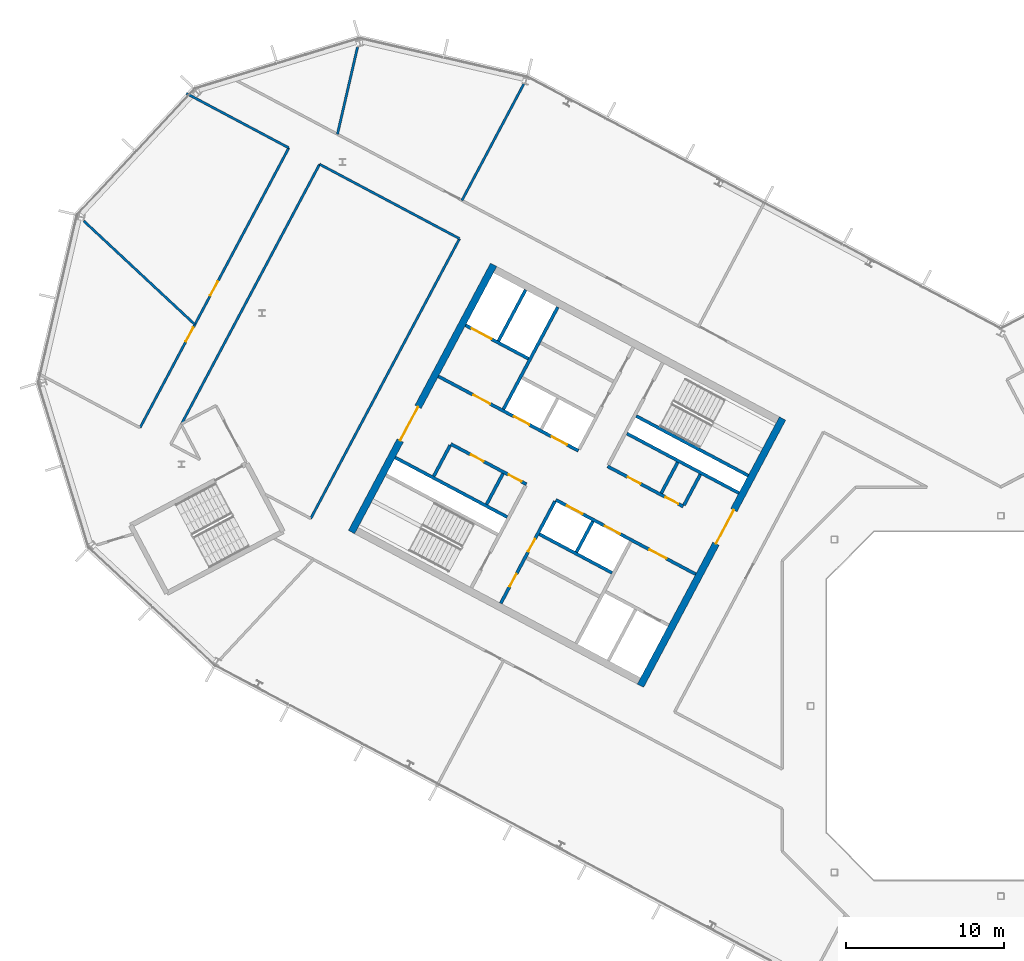
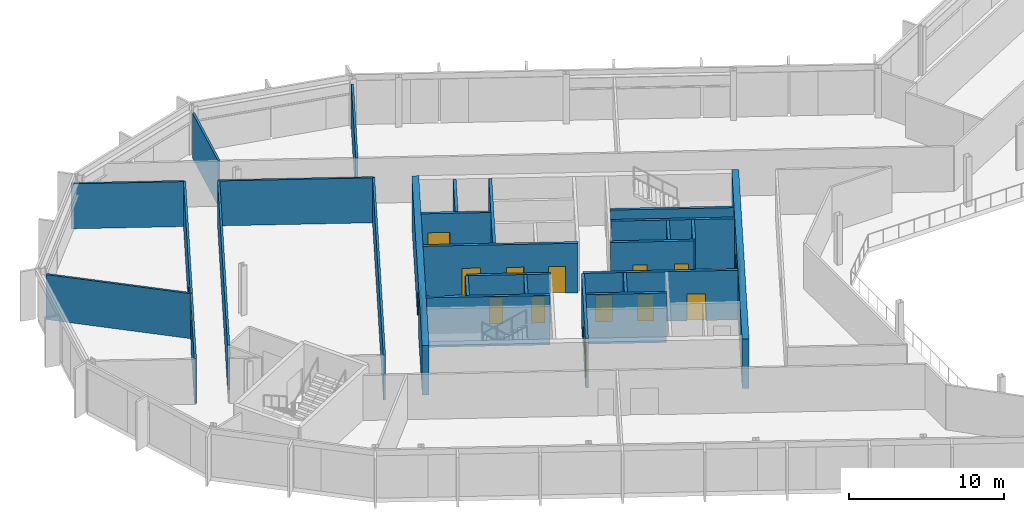
# One storey, part 13 of 25: 27 walls, 17 doors, 17 openings.
"""IFC4 building model written with IfcOpenShell, lengths in metres."""

from ifc_helpers import new_model, si_unit, direction, frame, frame_2d, origin, place, context, subcontext, project, spatial, rectangle, extrude, material, layer, layer_set, type_object, element, fill, save


model = new_model("IFC4")

# Units and contexts
model_context = context("Model", 3, precision=1e-05, world=origin(), true_north=direction((0.0, 1.0)))
body_context = subcontext(model_context, "Body", "Model", "MODEL_VIEW")
ifc_project = project(units=[si_unit("LENGTHUNIT", "METRE"), si_unit("AREAUNIT", "SQUARE_METRE"), si_unit("VOLUMEUNIT", "CUBIC_METRE"), si_unit("PLANEANGLEUNIT", "RADIAN"), si_unit("MASSUNIT", "GRAM", prefix="KILO")], contexts=[model_context])

# Site, building, storey
site_placement = place(None, origin())
site = spatial("IfcSite", under=ifc_project, at=site_placement, CompositionType="ELEMENT")
building_placement = place(site_placement, origin())
building = spatial("IfcBuilding", under=site, at=building_placement, Name="Cormorant Relay Tower", CompositionType="ELEMENT")
storey_placement = place(building_placement, frame((0.0, 0.0, 273.60009765625)))
storey = spatial("IfcBuildingStorey", under=building, at=storey_placement, Name="L61", CompositionType="ELEMENT", Elevation=273.60009765625)

# Walls
ifc_material_1 = material(Name="Concrete 40 MPa", Category="concrete")
ifc_layer_1 = layer(ifc_material_1, 0.199951171875)
ifc_layer_set_1 = layer_set([ifc_layer_1], Name="Core internal wall 200")
wall_type_1 = type_object("IfcWallType", Name="Core internal wall 200", PredefinedType="SOLIDWALL", material=ifc_layer_set_1)
wall_1_placement = place(storey_placement, frame((-20.39013671875, 15.371826171875, 0.0), z_axis=(0.0, 0.0, 1.0), x_axis=(-0.4694473164, -0.882960484464, 0.0)))
element("IfcWall", 1, at=wall_1_placement, inside=storey, type_object=wall_type_1, Name="L61 core A shaft and room wall", PredefinedType="SOLIDWALL", context=body_context, shape_type="SweptSolid", body=[
    extrude(rectangle(XDim=2.199951171875, YDim=0.199951171875, at=frame_2d((1.10009765625, 0.0))), origin(), (0.0, 0.0, 1.0), 3.89990234375),
])
wall_2_placement = place(storey_placement, frame((-25.744140625, 11.64990234375, 0.0), z_axis=(0.0, 0.0, 1.0), x_axis=(-0.469487830541, -0.882938942948, 0.0)))
element("IfcWall", 2, at=wall_2_placement, inside=storey, type_object=wall_type_1, Name="L61 core A shaft and room wall", PredefinedType="SOLIDWALL", context=body_context, shape_type="SweptSolid", body=[
    extrude(rectangle(XDim=2.2001953125, YDim=0.199951171875, at=frame_2d((1.10009765625, 0.0))), origin(), (0.0, 0.0, 1.0), 3.89990234375),
])
wall_3_placement = place(storey_placement, frame((-31.41259765625, 14.663818359375, 0.0), z_axis=(0.0, 0.0, 1.0), x_axis=(-0.469533832133, -0.882914480843, 0.0)))
element("IfcWall", 3, at=wall_3_placement, inside=storey, type_object=wall_type_1, Name="L61 core A shaft and room wall", PredefinedType="SOLIDWALL", context=body_context, shape_type="SweptSolid", body=[
    extrude(rectangle(XDim=2.199951171875, YDim=0.199951171875, at=frame_2d((1.10009765625, 0.0))), origin(), (0.0, 0.0, 1.0), 3.89990234375),
])
ifc_material_2 = material(Name="Concrete 50 MPa", Category="concrete")
ifc_layer_2 = layer(ifc_material_2, 0.199951171875)
ifc_layer_set_2 = layer_set([ifc_layer_2], Name="Core shaft wall 200")
wall_type_2 = type_object("IfcWallType", Name="Core shaft wall 200", PredefinedType="SHEAR", material=ifc_layer_set_2)
wall_4_placement = place(storey_placement, frame((-18.959716796875, 14.611328125, 0.0), z_axis=(0.0, 0.0, 1.0), x_axis=(-0.4694473164, -0.882960484464, 0.0)))
element("IfcWall", 4, at=wall_4_placement, inside=storey, type_object=wall_type_2, Name="L61 core A shaft wall", PredefinedType="SHEAR", context=body_context, shape_type="SweptSolid", body=[
    extrude(rectangle(XDim=2.199951171875, YDim=0.199951171875, at=frame_2d((1.10009765625, 0.0))), origin(), (0.0, 0.0, 1.0), 3.89990234375),
])

# Wall, openings, doors
wall_5_placement = place(storey_placement, frame((-28.128173828125, 12.91748046875, 0.0), z_axis=(0.0, 0.0, 1.0), x_axis=(-0.469454336211, -0.882956752176, 0.0)))
wall_5 = element("IfcWall", 5, at=wall_5_placement, inside=storey, type_object=wall_type_2, Name="L61 core A shaft wall", PredefinedType="SHEAR", context=body_context, shape_type="SweptSolid", body=[
    extrude(rectangle(XDim=7.300048828125, YDim=0.199951171875, at=frame_2d((3.64990234375, 0.0))), origin(), (0.0, 0.0, 1.0), 3.89990234375),
])
opening_1_placement = place(wall_5_placement, frame((2.699951171875, 0.0, 0.0)))
opening_1 = element("IfcOpeningElement", 6, at=opening_1_placement, cuts=wall_5, Name="Opening CDD-324", PredefinedType="OPENING", context=body_context, shape_type="SweptSolid", body=[
    extrude(rectangle(XDim=0.89990234375, YDim=2.10009765625, at=frame_2d((0.449951171875, 1.050048828125))), frame((0.0, 0.10986328125, 0.0), z_axis=(0.0, -1.0, 0.0), x_axis=(1.0, 0.0, 0.0)), (0.0, 0.0, 1.0), 0.219970703125),
])
opening_2_placement = place(wall_5_placement, frame((5.199951171875, 0.0, 0.0)))
opening_2 = element("IfcOpeningElement", 7, at=opening_2_placement, cuts=wall_5, Name="Opening CDD-325", PredefinedType="OPENING", context=body_context, shape_type="SweptSolid", body=[
    extrude(rectangle(XDim=0.89990234375, YDim=2.10009765625, at=frame_2d((0.449951171875, 1.050048828125))), frame((0.0, 0.10986328125, 0.0), z_axis=(0.0, -1.0, 0.0), x_axis=(1.0, 0.0, 0.0)), (0.0, 0.0, 1.0), 0.219970703125),
])
ifc_material_3 = material(Name="Steel fire door", Category="steel")
door_type_1 = type_object("IfcDoorType", Name="Core room door 900x2100", OperationType="SINGLE_SWING_LEFT", PredefinedType="DOOR", material=ifc_material_3)
door_1_placement = place(opening_1_placement, origin())
door_1 = element("IfcDoor", 8, at=door_1_placement, inside=storey, type_object=door_type_1, Name="Core room door 900x2100", OperationType="SINGLE_SWING_LEFT", OverallHeight=2.10009765625, OverallWidth=0.89990234375, PredefinedType="DOOR", context=body_context, shape_type="SweptSolid", body=[
    extrude(rectangle(XDim=0.89990234375, YDim=2.10009765625, at=frame_2d((0.449951171875, 1.050048828125))), frame((0.0, 0.02490234375, 0.0), z_axis=(0.0, -1.0, 0.0), x_axis=(1.0, 0.0, 0.0)), (0.0, 0.0, 1.0), 0.050048828125),
])
fill(opening_1, door_1)
door_2_placement = place(opening_2_placement, origin())
door_2 = element("IfcDoor", 9, at=door_2_placement, inside=storey, type_object=door_type_1, Name="Core room door 900x2100", OperationType="SINGLE_SWING_LEFT", OverallHeight=2.10009765625, OverallWidth=0.89990234375, PredefinedType="DOOR", context=body_context, shape_type="SweptSolid", body=[
    extrude(rectangle(XDim=0.89990234375, YDim=2.10009765625, at=frame_2d((0.449951171875, 1.050048828125))), frame((0.0, 0.02490234375, 0.0), z_axis=(0.0, -1.0, 0.0), x_axis=(1.0, 0.0, 0.0)), (0.0, 0.0, 1.0), 0.050048828125),
])
fill(opening_2, door_2)

# Walls
wall_6_placement = place(storey_placement, frame((-27.955322265625, 25.170654296875, 0.0), z_axis=(0.0, 0.0, 1.0), x_axis=(-0.469480409012, -0.88294288918, 0.0)))
element("IfcWall", 10, at=wall_6_placement, inside=storey, type_object=wall_type_2, Name="L61 core A shaft wall", PredefinedType="SHEAR", context=body_context, shape_type="SweptSolid", body=[
    extrude(rectangle(XDim=7.300048828125, YDim=0.199951171875, at=frame_2d((3.64990234375, 0.0))), origin(), (0.0, 0.0, 1.0), 3.89990234375),
])
wall_7_placement = place(storey_placement, frame((-34.750244140625, 16.4384765625, 0.0), z_axis=(0.0, 0.0, 1.0), x_axis=(-0.469401318492, -0.882984938828, 0.0)))
element("IfcWall", 11, at=wall_7_placement, inside=storey, type_object=wall_type_2, Name="L61 core A shaft wall", PredefinedType="SHEAR", context=body_context, shape_type="SweptSolid", body=[
    extrude(rectangle(XDim=2.199951171875, YDim=0.199951171875, at=frame_2d((1.10009765625, 0.0))), origin(), (0.0, 0.0, 1.0), 3.89990234375),
])
wall_8_placement = place(storey_placement, frame((-29.986083984375, 26.250244140625, 0.0), z_axis=(0.0, 0.0, 1.0), x_axis=(-0.469494272526, -0.882935517501, 0.0)))
element("IfcWall", 12, at=wall_8_placement, inside=storey, type_object=wall_type_2, Name="L61 core A shaft wall", PredefinedType="SHEAR", context=body_context, shape_type="SweptSolid", body=[
    extrude(rectangle(XDim=3.64990234375, YDim=0.199951171875, at=frame_2d((1.824951171875, 0.0))), origin(), (0.0, 0.0, 1.0), 3.89990234375),
])
wall_9_placement = place(storey_placement, frame((-15.94189453125, 14.53564453125, 0.0), z_axis=(0.0, 0.0, 1.0), x_axis=(-0.882946947542, 0.469472776449, 0.0)))
element("IfcWall", 13, at=wall_9_placement, inside=storey, type_object=wall_type_2, Name="L61 core A shaft wall", PredefinedType="SHEAR", context=body_context, shape_type="SweptSolid", body=[
    extrude(rectangle(XDim=8.000244140625, YDim=0.199951171875, at=frame_2d((4.0, 0.0))), origin(), (0.0, 0.0, 1.0), 3.89990234375),
])

# Wall, opening, door
wall_10_placement = place(storey_placement, frame((-29.80419921875, 21.906494140625, 0.0), z_axis=(0.0, 0.0, 1.0), x_axis=(-0.882960433586, 0.469447412093, 0.0)))
wall_10 = element("IfcWall", 14, at=wall_10_placement, inside=storey, type_object=wall_type_2, Name="L61 core A shaft wall", PredefinedType="SHEAR", context=body_context, shape_type="SweptSolid", body=[
    extrude(rectangle(XDim=4.5, YDim=0.199951171875, at=frame_2d((2.25, 0.0))), origin(), (0.0, 0.0, 1.0), 3.89990234375),
])
opening_3_placement = place(wall_10_placement, frame((2.64990234375, 0.0, 0.0)))
opening_3 = element("IfcOpeningElement", 15, at=opening_3_placement, cuts=wall_10, Name="Opening LD3-015", PredefinedType="OPENING", context=body_context, shape_type="SweptSolid", body=[
    extrude(rectangle(XDim=1.39990234375, YDim=2.39990234375, at=frame_2d((0.699951171875, 1.199951171875))), frame((0.0, 0.10986328125, 0.0), z_axis=(0.0, -1.0, 0.0), x_axis=(1.0, 0.0, 0.0)), (0.0, 0.0, 1.0), 0.219970703125),
])
ifc_material_4 = material(Name="Stainless steel 316", Category="steel")
door_type_2 = type_object("IfcDoorType", Name="Lift landing door 1400x2400", OperationType="DOUBLE_DOOR_SLIDING", PredefinedType="DOOR", material=ifc_material_4)
door_3_placement = place(opening_3_placement, origin())
door_3 = element("IfcDoor", 16, at=door_3_placement, inside=storey, type_object=door_type_2, Name="SV1 landing door", OperationType="DOUBLE_DOOR_SLIDING", OverallHeight=2.39990234375, OverallWidth=1.39990234375, PredefinedType="DOOR", context=body_context, shape_type="SweptSolid", body=[
    extrude(rectangle(XDim=1.39990234375, YDim=2.39990234375, at=frame_2d((0.699951171875, 1.199951171875))), frame((0.0, 0.02490234375, 0.0), z_axis=(0.0, -1.0, 0.0), x_axis=(1.0, 0.0, 0.0)), (0.0, 0.0, 1.0), 0.050048828125),
])
fill(opening_3, door_3)

# Wall
wall_11_placement = place(storey_placement, frame((-16.52880859375, 13.43212890625, 0.0), z_axis=(0.0, 0.0, 1.0), x_axis=(-0.88295287151, 0.469461634952, 0.0)))
element("IfcWall", 17, at=wall_11_placement, inside=storey, type_object=wall_type_2, Name="L61 core A shaft wall", PredefinedType="SHEAR", context=body_context, shape_type="SweptSolid", body=[
    extrude(rectangle(XDim=7.999755859375, YDim=0.199951171875, at=frame_2d((4.0, 0.0))), origin(), (0.0, 0.0, 1.0), 3.89990234375),
])

# Wall, openings, doors
wall_12_placement = place(storey_placement, frame((-20.03955078125, 12.58056640625, 0.0), z_axis=(0.0, 0.0, 1.0), x_axis=(-0.882942972946, 0.469480251476, 0.0)))
wall_12 = element("IfcWall", 18, at=wall_12_placement, inside=storey, type_object=wall_type_2, Name="L61 core A shaft wall", PredefinedType="SHEAR", context=body_context, shape_type="SweptSolid", body=[
    extrude(rectangle(XDim=5.39990234375, YDim=0.199951171875, at=frame_2d((2.699951171875, 0.0))), origin(), (0.0, 0.0, 1.0), 3.89990234375),
])
opening_4_placement = place(wall_12_placement, frame((0.360107421875, 0.0, 0.0)))
opening_4 = element("IfcOpeningElement", 19, at=opening_4_placement, cuts=wall_12, Name="Opening CDD-322", PredefinedType="OPENING", context=body_context, shape_type="SweptSolid", body=[
    extrude(rectangle(XDim=0.89990234375, YDim=2.10009765625, at=frame_2d((0.449951171875, 1.050048828125))), frame((0.0, 0.10986328125, 0.0), z_axis=(0.0, -1.0, 0.0), x_axis=(1.0, 0.0, 0.0)), (0.0, 0.0, 1.0), 0.219970703125),
])
opening_5_placement = place(wall_12_placement, frame((3.06005859375, 0.0, 0.0)))
opening_5 = element("IfcOpeningElement", 20, at=opening_5_placement, cuts=wall_12, Name="Opening CDD-323", PredefinedType="OPENING", context=body_context, shape_type="SweptSolid", body=[
    extrude(rectangle(XDim=0.89990234375, YDim=2.10009765625, at=frame_2d((0.449951171875, 1.050048828125))), frame((0.0, 0.10986328125, 0.0), z_axis=(0.0, -1.0, 0.0), x_axis=(1.0, 0.0, 0.0)), (0.0, 0.0, 1.0), 0.219970703125),
])
door_4_placement = place(opening_4_placement, origin())
door_4 = element("IfcDoor", 21, at=door_4_placement, inside=storey, type_object=door_type_1, Name="Core room door 900x2100", OperationType="SINGLE_SWING_LEFT", OverallHeight=2.10009765625, OverallWidth=0.89990234375, PredefinedType="DOOR", context=body_context, shape_type="SweptSolid", body=[
    extrude(rectangle(XDim=0.89990234375, YDim=2.10009765625, at=frame_2d((0.449951171875, 1.050048828125))), frame((0.0, 0.02490234375, 0.0), z_axis=(0.0, -1.0, 0.0), x_axis=(1.0, 0.0, 0.0)), (0.0, 0.0, 1.0), 0.050048828125),
])
fill(opening_4, door_4)
door_5_placement = place(opening_5_placement, origin())
door_5 = element("IfcDoor", 22, at=door_5_placement, inside=storey, type_object=door_type_1, Name="Core room door 900x2100", OperationType="SINGLE_SWING_LEFT", OverallHeight=2.10009765625, OverallWidth=0.89990234375, PredefinedType="DOOR", context=body_context, shape_type="SweptSolid", body=[
    extrude(rectangle(XDim=0.89990234375, YDim=2.10009765625, at=frame_2d((0.449951171875, 1.050048828125))), frame((0.0, 0.02490234375, 0.0), z_axis=(0.0, -1.0, 0.0), x_axis=(1.0, 0.0, 0.0)), (0.0, 0.0, 1.0), 0.050048828125),
])
fill(opening_5, door_5)

wall_13_placement = place(storey_placement, frame((-26.66162109375, 16.1015625, 0.0), z_axis=(0.0, 0.0, 1.0), x_axis=(-0.882940221191, 0.469485426614, 0.0)))
wall_13 = element("IfcWall", 23, at=wall_13_placement, inside=storey, type_object=wall_type_2, Name="L61 core A shaft wall", PredefinedType="SHEAR", context=body_context, shape_type="SweptSolid", body=[
    extrude(rectangle(XDim=10.0, YDim=0.199951171875, at=frame_2d((5.0, 0.0))), origin(), (0.0, 0.0, 1.0), 3.89990234375),
])
opening_6_placement = place(wall_13_placement, frame((6.300048828125, 0.0, 0.0)))
opening_6 = element("IfcOpeningElement", 24, at=opening_6_placement, cuts=wall_13, Name="Opening CDC-034", PredefinedType="OPENING", context=body_context, shape_type="SweptSolid", body=[
    extrude(rectangle(XDim=1.199951171875, YDim=2.10009765625, at=frame_2d((0.60009765625, 1.050048828125))), frame((0.0, 0.10986328125, 0.0), z_axis=(0.0, -1.0, 0.0), x_axis=(1.0, 0.0, 0.0)), (0.0, 0.0, 1.0), 0.219970703125),
])
opening_7_placement = place(wall_13_placement, frame((0.800048828125, 0.0, 0.0)))
opening_7 = element("IfcOpeningElement", 25, at=opening_7_placement, cuts=wall_13, Name="Opening LD1-067", PredefinedType="OPENING", context=body_context, shape_type="SweptSolid", body=[
    extrude(rectangle(XDim=1.10009765625, YDim=2.10009765625, at=frame_2d((0.550048828125, 1.050048828125))), frame((0.0, 0.10986328125, 0.0), z_axis=(0.0, -1.0, 0.0), x_axis=(1.0, 0.0, 0.0)), (0.0, 0.0, 1.0), 0.219970703125),
])
opening_8_placement = place(wall_13_placement, frame((3.5, 0.0, 0.0)))
opening_8 = element("IfcOpeningElement", 26, at=opening_8_placement, cuts=wall_13, Name="Opening LD1-068", PredefinedType="OPENING", context=body_context, shape_type="SweptSolid", body=[
    extrude(rectangle(XDim=1.10009765625, YDim=2.10009765625, at=frame_2d((0.550048828125, 1.050048828125))), frame((0.0, 0.10986328125, 0.0), z_axis=(0.0, -1.0, 0.0), x_axis=(1.0, 0.0, 0.0)), (0.0, 0.0, 1.0), 0.219970703125),
])
ifc_material_5 = material(Name="Steel fire door", Category="steel")
door_type_3 = type_object("IfcDoorType", Name="Core lobby door 1200x2100", OperationType="SINGLE_SWING_LEFT", PredefinedType="DOOR", material=ifc_material_5)
door_6_placement = place(opening_6_placement, origin())
door_6 = element("IfcDoor", 27, at=door_6_placement, inside=storey, type_object=door_type_3, Name="Core lobby door 1200x2100", OperationType="SINGLE_SWING_LEFT", OverallHeight=2.10009765625, OverallWidth=1.199951171875, PredefinedType="DOOR", context=body_context, shape_type="SweptSolid", body=[
    extrude(rectangle(XDim=1.199951171875, YDim=2.10009765625, at=frame_2d((0.60009765625, 1.050048828125))), frame((0.0, 0.02490234375, 0.0), z_axis=(0.0, -1.0, 0.0), x_axis=(1.0, 0.0, 0.0)), (0.0, 0.0, 1.0), 0.050048828125),
])
fill(opening_6, door_6)
ifc_material_6 = material(Name="Stainless steel 316", Category="steel")
door_type_4 = type_object("IfcDoorType", Name="Lift landing door 1100x2100", OperationType="DOUBLE_DOOR_SLIDING", PredefinedType="DOOR", material=ifc_material_6)
door_7_placement = place(opening_7_placement, origin())
door_7 = element("IfcDoor", 28, at=door_7_placement, inside=storey, type_object=door_type_4, Name="HR3 landing door", OperationType="DOUBLE_DOOR_SLIDING", OverallHeight=2.10009765625, OverallWidth=1.10009765625, PredefinedType="DOOR", context=body_context, shape_type="SweptSolid", body=[
    extrude(rectangle(XDim=1.10009765625, YDim=2.10009765625, at=frame_2d((0.550048828125, 1.050048828125))), frame((0.0, 0.02490234375, 0.0), z_axis=(0.0, -1.0, 0.0), x_axis=(1.0, 0.0, 0.0)), (0.0, 0.0, 1.0), 0.050048828125),
])
fill(opening_7, door_7)
door_8_placement = place(opening_8_placement, origin())
door_8 = element("IfcDoor", 29, at=door_8_placement, inside=storey, type_object=door_type_4, Name="HR4 landing door", OperationType="DOUBLE_DOOR_SLIDING", OverallHeight=2.10009765625, OverallWidth=1.10009765625, PredefinedType="DOOR", context=body_context, shape_type="SweptSolid", body=[
    extrude(rectangle(XDim=1.10009765625, YDim=2.10009765625, at=frame_2d((0.550048828125, 1.050048828125))), frame((0.0, 0.02490234375, 0.0), z_axis=(0.0, -1.0, 0.0), x_axis=(1.0, 0.0, 0.0)), (0.0, 0.0, 1.0), 0.050048828125),
])
fill(opening_8, door_8)

wall_14_placement = place(storey_placement, frame((-19.251708984375, 8.31103515625, 0.0), z_axis=(0.0, 0.0, 1.0), x_axis=(-0.882955722218, 0.469456273365, 0.0)))
wall_14 = element("IfcWall", 30, at=wall_14_placement, inside=storey, type_object=wall_type_2, Name="L61 core A shaft wall", PredefinedType="SHEAR", context=body_context, shape_type="SweptSolid", body=[
    extrude(rectangle(XDim=10.0, YDim=0.199951171875, at=frame_2d((5.0, 0.0))), origin(), (0.0, 0.0, 1.0), 3.89990234375),
])
opening_9_placement = place(wall_14_placement, frame((2.10009765625, 0.0, 0.0)))
opening_9 = element("IfcOpeningElement", 31, at=opening_9_placement, cuts=wall_14, Name="Opening CDC-033", PredefinedType="OPENING", context=body_context, shape_type="SweptSolid", body=[
    extrude(rectangle(XDim=1.199951171875, YDim=2.10009765625, at=frame_2d((0.60009765625, 1.050048828125))), frame((0.0, 0.10986328125, 0.0), z_axis=(0.0, -1.0, 0.0), x_axis=(1.0, 0.0, 0.0)), (0.0, 0.0, 1.0), 0.219970703125),
])
opening_10_placement = place(wall_14_placement, frame((5.39990234375, 0.0, 0.0)))
opening_10 = element("IfcOpeningElement", 32, at=opening_10_placement, cuts=wall_14, Name="Opening LD1-065", PredefinedType="OPENING", context=body_context, shape_type="SweptSolid", body=[
    extrude(rectangle(XDim=1.10009765625, YDim=2.10009765625, at=frame_2d((0.550048828125, 1.050048828125))), frame((0.0, 0.10986328125, 0.0), z_axis=(0.0, -1.0, 0.0), x_axis=(1.0, 0.0, 0.0)), (0.0, 0.0, 1.0), 0.219970703125),
])
opening_11_placement = place(wall_14_placement, frame((8.10009765625, 0.0, 0.0)))
opening_11 = element("IfcOpeningElement", 33, at=opening_11_placement, cuts=wall_14, Name="Opening LD1-066", PredefinedType="OPENING", context=body_context, shape_type="SweptSolid", body=[
    extrude(rectangle(XDim=1.10009765625, YDim=2.10009765625, at=frame_2d((0.550048828125, 1.050048828125))), frame((0.0, 0.10986328125, 0.0), z_axis=(0.0, -1.0, 0.0), x_axis=(1.0, 0.0, 0.0)), (0.0, 0.0, 1.0), 0.219970703125),
])
door_9_placement = place(opening_9_placement, origin())
door_9 = element("IfcDoor", 34, at=door_9_placement, inside=storey, type_object=door_type_3, Name="Core lobby door 1200x2100", OperationType="SINGLE_SWING_RIGHT", OverallHeight=2.10009765625, OverallWidth=1.199951171875, PredefinedType="DOOR", context=body_context, shape_type="SweptSolid", body=[
    extrude(rectangle(XDim=1.199951171875, YDim=2.10009765625, at=frame_2d((0.60009765625, 1.050048828125))), frame((0.0, 0.02490234375, 0.0), z_axis=(0.0, -1.0, 0.0), x_axis=(1.0, 0.0, 0.0)), (0.0, 0.0, 1.0), 0.050048828125),
])
fill(opening_9, door_9)
door_10_placement = place(opening_10_placement, origin())
door_10 = element("IfcDoor", 35, at=door_10_placement, inside=storey, type_object=door_type_4, Name="HR1 landing door", OperationType="DOUBLE_DOOR_SLIDING", OverallHeight=2.10009765625, OverallWidth=1.10009765625, PredefinedType="DOOR", context=body_context, shape_type="SweptSolid", body=[
    extrude(rectangle(XDim=1.10009765625, YDim=2.10009765625, at=frame_2d((0.550048828125, 1.050048828125))), frame((0.0, 0.02490234375, 0.0), z_axis=(0.0, -1.0, 0.0), x_axis=(1.0, 0.0, 0.0)), (0.0, 0.0, 1.0), 0.050048828125),
])
fill(opening_10, door_10)
door_11_placement = place(opening_11_placement, origin())
door_11 = element("IfcDoor", 36, at=door_11_placement, inside=storey, type_object=door_type_4, Name="HR2 landing door", OperationType="DOUBLE_DOOR_SLIDING", OverallHeight=2.10009765625, OverallWidth=1.10009765625, PredefinedType="DOOR", context=body_context, shape_type="SweptSolid", body=[
    extrude(rectangle(XDim=1.10009765625, YDim=2.10009765625, at=frame_2d((0.550048828125, 1.050048828125))), frame((0.0, 0.02490234375, 0.0), z_axis=(0.0, -1.0, 0.0), x_axis=(1.0, 0.0, 0.0)), (0.0, 0.0, 1.0), 0.050048828125),
])
fill(opening_11, door_11)

wall_15_placement = place(storey_placement, frame((-29.935302734375, 13.991455078125, 0.0), z_axis=(0.0, 0.0, 1.0), x_axis=(-0.882952937579, 0.469461510692, 0.0)))
wall_15 = element("IfcWall", 37, at=wall_15_placement, inside=storey, type_object=wall_type_2, Name="L61 core A shaft wall", PredefinedType="SHEAR", context=body_context, shape_type="SweptSolid", body=[
    extrude(rectangle(XDim=5.400146484375, YDim=0.199951171875, at=frame_2d((2.7001953125, 0.0))), origin(), (0.0, 0.0, 1.0), 3.89990234375),
])
opening_12_placement = place(wall_15_placement, frame((0.360107421875, 0.0, 0.0)))
opening_12 = element("IfcOpeningElement", 38, at=opening_12_placement, cuts=wall_15, Name="Opening CDD-320", PredefinedType="OPENING", context=body_context, shape_type="SweptSolid", body=[
    extrude(rectangle(XDim=0.89990234375, YDim=2.10009765625, at=frame_2d((0.449951171875, 1.050048828125))), frame((0.0, 0.10986328125, 0.0), z_axis=(0.0, -1.0, 0.0), x_axis=(1.0, 0.0, 0.0)), (0.0, 0.0, 1.0), 0.219970703125),
])
opening_13_placement = place(wall_15_placement, frame((3.06005859375, 0.0, 0.0)))
opening_13 = element("IfcOpeningElement", 39, at=opening_13_placement, cuts=wall_15, Name="Opening CDD-321", PredefinedType="OPENING", context=body_context, shape_type="SweptSolid", body=[
    extrude(rectangle(XDim=0.89990234375, YDim=2.10009765625, at=frame_2d((0.449951171875, 1.050048828125))), frame((0.0, 0.10986328125, 0.0), z_axis=(0.0, -1.0, 0.0), x_axis=(1.0, 0.0, 0.0)), (0.0, 0.0, 1.0), 0.219970703125),
])
door_12_placement = place(opening_12_placement, origin())
door_12 = element("IfcDoor", 40, at=door_12_placement, inside=storey, type_object=door_type_1, Name="Core room door 900x2100", OperationType="SINGLE_SWING_LEFT", OverallHeight=2.10009765625, OverallWidth=0.89990234375, PredefinedType="DOOR", context=body_context, shape_type="SweptSolid", body=[
    extrude(rectangle(XDim=0.89990234375, YDim=2.10009765625, at=frame_2d((0.449951171875, 1.050048828125))), frame((0.0, 0.02490234375, 0.0), z_axis=(0.0, -1.0, 0.0), x_axis=(1.0, 0.0, 0.0)), (0.0, 0.0, 1.0), 0.050048828125),
])
fill(opening_12, door_12)
door_13_placement = place(opening_13_placement, origin())
door_13 = element("IfcDoor", 41, at=door_13_placement, inside=storey, type_object=door_type_1, Name="Core room door 900x2100", OperationType="SINGLE_SWING_LEFT", OverallHeight=2.10009765625, OverallWidth=0.89990234375, PredefinedType="DOOR", context=body_context, shape_type="SweptSolid", body=[
    extrude(rectangle(XDim=0.89990234375, YDim=2.10009765625, at=frame_2d((0.449951171875, 1.050048828125))), frame((0.0, 0.02490234375, 0.0), z_axis=(0.0, -1.0, 0.0), x_axis=(1.0, 0.0, 0.0)), (0.0, 0.0, 1.0), 0.050048828125),
])
fill(opening_13, door_13)

# Walls
wall_16_placement = place(storey_placement, frame((-24.5283203125, 8.3984375, 0.0), z_axis=(0.0, 0.0, 1.0), x_axis=(-0.882953967957, 0.469459572775, 0.0)))
element("IfcWall", 42, at=wall_16_placement, inside=storey, type_object=wall_type_2, Name="L61 core A shaft wall", PredefinedType="SHEAR", context=body_context, shape_type="SweptSolid", body=[
    extrude(rectangle(XDim=5.199951171875, YDim=0.199951171875, at=frame_2d((2.60009765625, 0.0))), origin(), (0.0, 0.0, 1.0), 3.89990234375),
])
wall_17_placement = place(storey_placement, frame((-31.150390625, 11.91943359375, 0.0), z_axis=(0.0, 0.0, 1.0), x_axis=(-0.882940221191, 0.469485426614, 0.0)))
element("IfcWall", 43, at=wall_17_placement, inside=storey, type_object=wall_type_2, Name="L61 core A shaft wall", PredefinedType="SHEAR", context=body_context, shape_type="SweptSolid", body=[
    extrude(rectangle(XDim=8.0, YDim=0.199951171875, at=frame_2d((4.0, 0.0))), origin(), (0.0, 0.0, 1.0), 3.89990234375),
])

# Wall, opening, door
ifc_material_7 = material(Name="Concrete 50 MPa", Category="concrete")
ifc_layer_3 = layer(ifc_material_7, 0.449951171875)
ifc_layer_set_3 = layer_set([ifc_layer_3], Name="Core wall 450")
wall_type_3 = type_object("IfcWallType", Name="Core wall 450", PredefinedType="SHEAR", material=ifc_layer_set_3)
wall_18_placement = place(storey_placement, frame((-13.771484375, 18.138427734375, 0.0), z_axis=(0.0, 0.0, 1.0), x_axis=(-0.469467968382, -0.882949504028, 0.0)))
wall_18 = element("IfcWall", 44, at=wall_18_placement, inside=storey, type_object=wall_type_3, Name="L61 core A wall", PredefinedType="SHEAR", context=body_context, shape_type="SweptSolid", body=[
    extrude(rectangle(XDim=19.099853515625, YDim=0.449951171875, at=frame_2d((9.5498046875, 0.0))), origin(), (0.0, 0.0, 1.0), 3.89990234375),
])
opening_14_placement = place(wall_18_placement, frame((6.550048828125, 0.0, 0.0)))
opening_14 = element("IfcOpeningElement", 45, at=opening_14_placement, cuts=wall_18, Name="Opening CDA-050", PredefinedType="OPENING", context=body_context, shape_type="SweptSolid", body=[
    extrude(rectangle(XDim=2.39990234375, YDim=2.39990234375, at=frame_2d((1.199951171875, 1.199951171875))), frame((0.0, 0.23486328125, 0.0), z_axis=(0.0, -1.0, 0.0), x_axis=(1.0, 0.0, 0.0)), (0.0, 0.0, 1.0), 0.469970703125),
])
ifc_material_8 = material(Name="Steel fire door", Category="steel")
door_type_5 = type_object("IfcDoorType", Name="Core lobby door 2400x2400", OperationType="DOUBLE_DOOR_SINGLE_SWING", PredefinedType="DOOR", material=ifc_material_8)
door_14_placement = place(opening_14_placement, origin())
door_14 = element("IfcDoor", 46, at=door_14_placement, inside=storey, type_object=door_type_5, Name="Core lobby door 2400x2400", OperationType="DOUBLE_DOOR_SINGLE_SWING", OverallHeight=2.39990234375, OverallWidth=2.39990234375, PredefinedType="DOOR", context=body_context, shape_type="SweptSolid", body=[
    extrude(rectangle(XDim=2.39990234375, YDim=2.39990234375, at=frame_2d((1.199951171875, 1.199951171875))), frame((0.0, 0.02490234375, 0.0), z_axis=(0.0, -1.0, 0.0), x_axis=(1.0, 0.0, 0.0)), (0.0, 0.0, 1.0), 0.050048828125),
])
fill(opening_14, door_14)

wall_19_placement = place(storey_placement, frame((-32.00439453125, 27.8330078125, 0.0), z_axis=(0.0, 0.0, 1.0), x_axis=(-0.469467968382, -0.882949504028, 0.0)))
wall_19 = element("IfcWall", 47, at=wall_19_placement, inside=storey, type_object=wall_type_3, Name="L61 core A wall", PredefinedType="SHEAR", context=body_context, shape_type="SweptSolid", body=[
    extrude(rectangle(XDim=19.099853515625, YDim=0.449951171875, at=frame_2d((9.5498046875, 0.0))), origin(), (0.0, 0.0, 1.0), 3.89990234375),
])
opening_15_placement = place(wall_19_placement, frame((10.14990234375, 0.0, 0.0)))
opening_15 = element("IfcOpeningElement", 48, at=opening_15_placement, cuts=wall_19, Name="Opening CDA-051", PredefinedType="OPENING", context=body_context, shape_type="SweptSolid", body=[
    extrude(rectangle(XDim=2.39990234375, YDim=2.39990234375, at=frame_2d((1.199951171875, 1.199951171875))), frame((0.0, 0.23486328125, 0.0), z_axis=(0.0, -1.0, 0.0), x_axis=(1.0, 0.0, 0.0)), (0.0, 0.0, 1.0), 0.469970703125),
])
door_15_placement = place(opening_15_placement, origin())
door_15 = element("IfcDoor", 49, at=door_15_placement, inside=storey, type_object=door_type_5, Name="Core lobby door 2400x2400", OperationType="DOUBLE_DOOR_SINGLE_SWING", OverallHeight=2.39990234375, OverallWidth=2.39990234375, PredefinedType="DOOR", context=body_context, shape_type="SweptSolid", body=[
    extrude(rectangle(XDim=2.39990234375, YDim=2.39990234375, at=frame_2d((1.199951171875, 1.199951171875))), frame((0.0, 0.02490234375, 0.0), z_axis=(0.0, -1.0, 0.0), x_axis=(1.0, 0.0, 0.0)), (0.0, 0.0, 1.0), 0.050048828125),
])
fill(opening_15, door_15)

# Wall, openings, doors
ifc_material_9 = material(Name="Gypsum board fire partition")
ifc_layer_4 = layer(ifc_material_9, 0.14990234375)
ifc_layer_set_4 = layer_set([ifc_layer_4], Name="Corridor partition 150 EI 60")
wall_type_4 = type_object("IfcWallType", Name="Corridor partition 150 EI 60", PredefinedType="PARTITIONING", material=ifc_layer_set_4)
wall_20_placement = place(storey_placement, frame((-54.31591796875, 17.554931640625, 0.0), z_axis=(0.0, 0.0, 1.0), x_axis=(0.469446756585, 0.882960782103, 0.0)))
wall_20 = element("IfcWall", 50, at=wall_20_placement, inside=storey, type_object=wall_type_4, Name="wall/L61/part/001", PredefinedType="PARTITIONING", context=body_context, shape_type="SweptSolid", body=[
    extrude(rectangle(XDim=20.0, YDim=0.14990234375, at=frame_2d((10.0, 0.0))), origin(), (0.0, 0.0, 1.0), 3.539794921875),
])
opening_16_placement = place(wall_20_placement, frame((9.449951171875, 0.0, 0.0)))
opening_16 = element("IfcOpeningElement", 51, at=opening_16_placement, cuts=wall_20, Name="Opening DS-211", PredefinedType="OPENING", context=body_context, shape_type="SweptSolid", body=[
    extrude(rectangle(XDim=1.0, YDim=2.10009765625, at=frame_2d((0.5, 1.050048828125))), frame((0.0, 0.0849609375, 0.0), z_axis=(0.0, -1.0, 0.0), x_axis=(1.0, 0.0, 0.0)), (0.0, 0.0, 1.0), 0.169921875),
])
opening_17_placement = place(wall_20_placement, frame((6.14990234375, 0.0, 0.0)))
opening_17 = element("IfcOpeningElement", 52, at=opening_17_placement, cuts=wall_20, Name="Opening DS-212", PredefinedType="OPENING", context=body_context, shape_type="SweptSolid", body=[
    extrude(rectangle(XDim=1.0, YDim=2.10009765625, at=frame_2d((0.5, 1.050048828125))), frame((0.0, 0.0849609375, 0.0), z_axis=(0.0, -1.0, 0.0), x_axis=(1.0, 0.0, 0.0)), (0.0, 0.0, 1.0), 0.169921875),
])
ifc_material_10 = material(Name="Timber door leaf", Category="wood")
door_type_6 = type_object("IfcDoorType", Name="Suite door 1000x2100", OperationType="SINGLE_SWING_LEFT", PredefinedType="DOOR", material=ifc_material_10)
door_16_placement = place(opening_16_placement, origin())
door_16 = element("IfcDoor", 53, at=door_16_placement, inside=storey, type_object=door_type_6, Name="door/L61/001", OperationType="SINGLE_SWING_RIGHT", OverallHeight=2.10009765625, OverallWidth=1.0, PredefinedType="DOOR", context=body_context, shape_type="SweptSolid", body=[
    extrude(rectangle(XDim=1.0, YDim=2.10009765625, at=frame_2d((0.5, 1.050048828125))), frame((0.0, 0.02490234375, 0.0), z_axis=(0.0, -1.0, 0.0), x_axis=(1.0, 0.0, 0.0)), (0.0, 0.0, 1.0), 0.050048828125),
])
fill(opening_16, door_16)
door_17_placement = place(opening_17_placement, origin())
door_17 = element("IfcDoor", 54, at=door_17_placement, inside=storey, type_object=door_type_6, Name="door/L61/002", OperationType="SINGLE_SWING_RIGHT", OverallHeight=2.10009765625, OverallWidth=1.0, PredefinedType="DOOR", context=body_context, shape_type="SweptSolid", body=[
    extrude(rectangle(XDim=1.0, YDim=2.10009765625, at=frame_2d((0.5, 1.050048828125))), frame((0.0, 0.02490234375, 0.0), z_axis=(0.0, -1.0, 0.0), x_axis=(1.0, 0.0, 0.0)), (0.0, 0.0, 1.0), 0.050048828125),
])
fill(opening_17, door_17)

# Walls
wall_21_placement = place(storey_placement, frame((-44.927001953125, 35.214111328125, 0.0), z_axis=(0.0, 0.0, 1.0), x_axis=(-0.883014317612, 0.469346050258, 0.0)))
element("IfcWall", 55, at=wall_21_placement, inside=storey, type_object=wall_type_4, Name="wall/L61/part/002", PredefinedType="PARTITIONING", context=body_context, shape_type="SweptSolid", body=[
    extrude(rectangle(XDim=7.3271484375, YDim=0.14990234375, at=frame_2d((3.66357421875, 0.0))), origin(), (0.0, 0.0, 1.0), 3.539794921875),
])
wall_22_placement = place(storey_placement, frame((-51.695068359375, 17.798095703125, 0.0), z_axis=(0.0, 0.0, 1.0), x_axis=(0.469483567396, 0.88294120979, 0.0)))
element("IfcWall", 56, at=wall_22_placement, inside=storey, type_object=wall_type_4, Name="wall/L61/part/012", PredefinedType="PARTITIONING", context=body_context, shape_type="SweptSolid", body=[
    extrude(rectangle(XDim=18.554931640625, YDim=0.14990234375, at=frame_2d((9.27734375, 0.0))), origin(), (0.0, 0.0, 1.0), 3.539794921875),
])
wall_23_placement = place(storey_placement, frame((-42.98388671875, 34.180908203125, 0.0), z_axis=(0.0, 0.0, 1.0), x_axis=(0.882929457898, -0.469505668097, 0.0)))
element("IfcWall", 57, at=wall_23_placement, inside=storey, type_object=wall_type_4, Name="wall/L61/part/013", PredefinedType="PARTITIONING", context=body_context, shape_type="SweptSolid", body=[
    extrude(rectangle(XDim=9.99951171875, YDim=0.14990234375, at=frame_2d((4.999755859375, 0.0))), origin(), (0.0, 0.0, 1.0), 3.539794921875),
])
wall_24_placement = place(storey_placement, frame((-34.155029296875, 29.486083984375, 0.0), z_axis=(0.0, 0.0, 1.0), x_axis=(-0.469446756585, -0.882960782103, 0.0)))
element("IfcWall", 58, at=wall_24_placement, inside=storey, type_object=wall_type_4, Name="wall/L61/part/014", PredefinedType="PARTITIONING", context=body_context, shape_type="SweptSolid", body=[
    extrude(rectangle(XDim=20.0, YDim=0.14990234375, at=frame_2d((10.0, 0.0))), origin(), (0.0, 0.0, 1.0), 3.539794921875),
])
ifc_material_11 = material(Name="Gypsum board partition")
ifc_layer_5 = layer(ifc_material_11, 0.14990234375)
ifc_layer_set_5 = layer_set([ifc_layer_5], Name="Tenant partition 150")
wall_type_5 = type_object("IfcWallType", Name="Tenant partition 150", PredefinedType="PARTITIONING", material=ifc_layer_set_5)
wall_25_placement = place(storey_placement, frame((-57.8720703125, 30.60791015625, 0.0), z_axis=(0.0, 0.0, 1.0), x_axis=(0.731481609164, -0.681861170221, 0.0)))
element("IfcWall", 59, at=wall_25_placement, inside=storey, type_object=wall_type_5, Name="wall/L61/part/003", PredefinedType="PARTITIONING", context=body_context, shape_type="SweptSolid", body=[
    extrude(rectangle(XDim=9.59423828125, YDim=0.14990234375, at=frame_2d((4.797119140625, 0.0))), origin(), (0.0, 0.0, 1.0), 3.539794921875),
])
wall_26_placement = place(storey_placement, frame((-30.097900390625, 39.2470703125, 0.0), z_axis=(0.0, 0.0, 1.0), x_axis=(-0.469413996391, -0.882978199047, 0.0)))
element("IfcWall", 60, at=wall_26_placement, inside=storey, type_object=wall_type_5, Name="wall/L61/part/017", PredefinedType="PARTITIONING", context=body_context, shape_type="SweptSolid", body=[
    extrude(rectangle(XDim=8.322998046875, YDim=0.14990234375, at=frame_2d((4.16162109375, 0.0))), origin(), (0.0, 0.0, 1.0), 3.539794921875),
])
wall_27_placement = place(storey_placement, frame((-41.860107421875, 36.074951171875, 0.0), z_axis=(0.0, 0.0, 1.0), x_axis=(0.22499217369, 0.974360570722, 0.0)))
element("IfcWall", 61, at=wall_27_placement, inside=storey, type_object=wall_type_5, Name="wall/L61/part/018", PredefinedType="PARTITIONING", context=body_context, shape_type="SweptSolid", body=[
    extrude(rectangle(XDim=5.644775390625, YDim=0.14990234375, at=frame_2d((2.822265625, 0.0))), origin(), (0.0, 0.0, 1.0), 3.539794921875),
])

save(model, "model.ifc")
